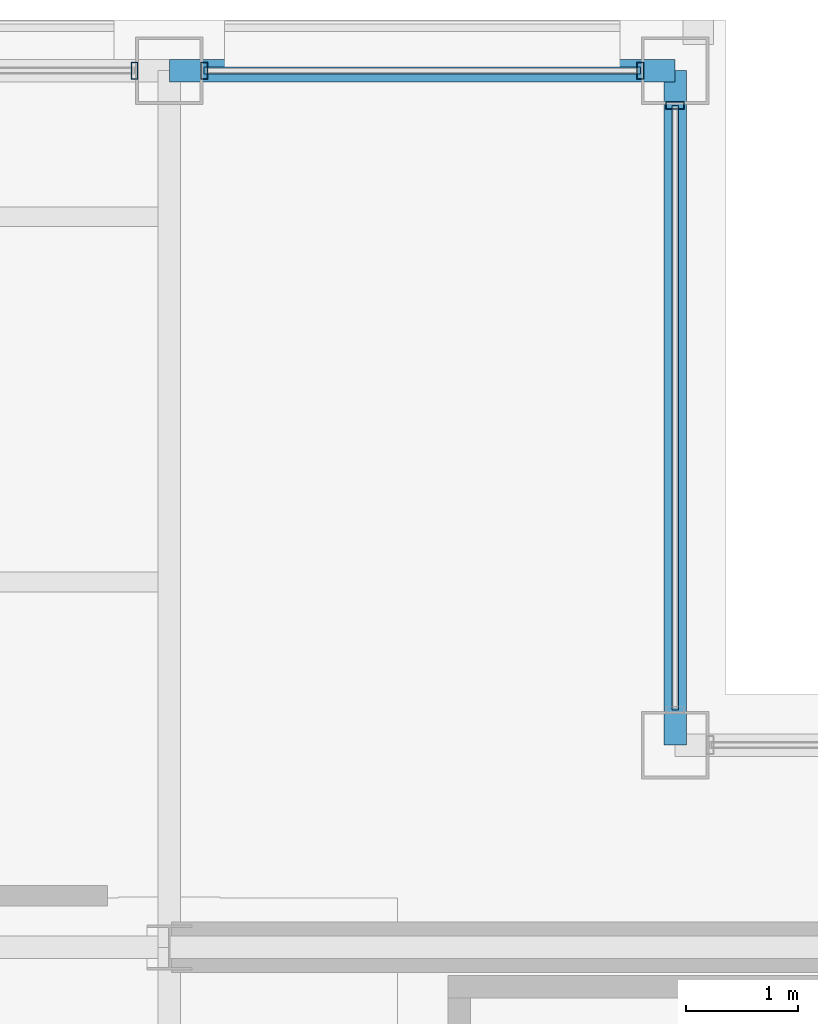
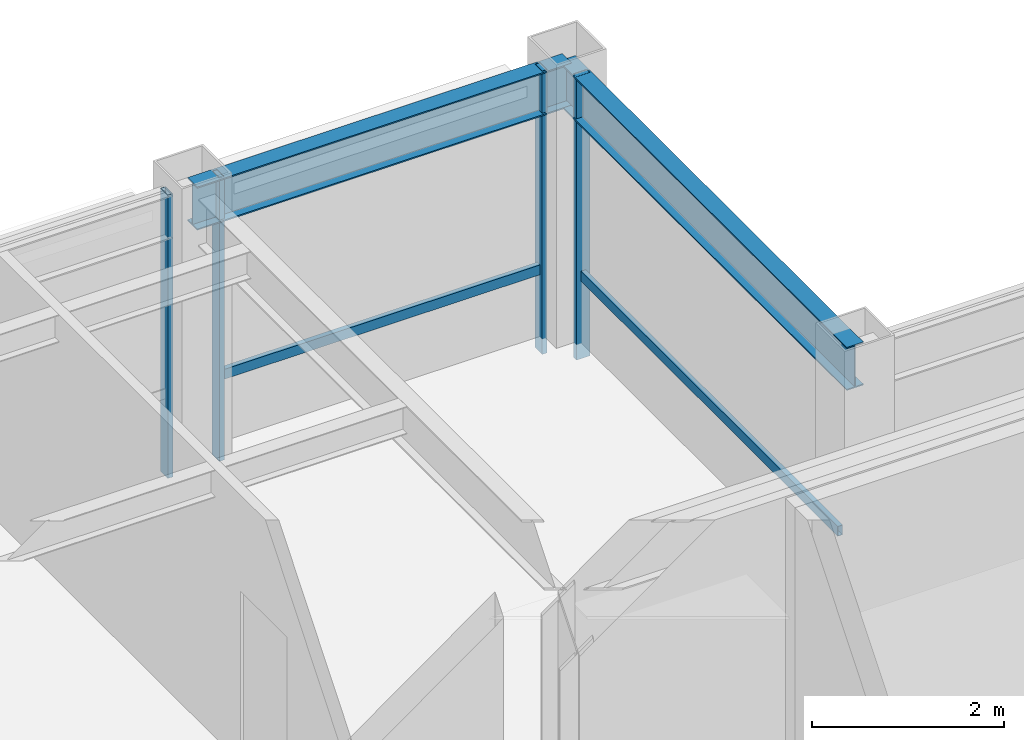
# One storey, part 16 of 22: 6 members, 2 beams, 3 elements without a shape of their own.
"""IFC4 building model written with IfcOpenShell, lengths in metres."""

from ifc_helpers import new_model, si_unit, direction, frame, origin, origin_2d, place, context, subcontext, project, spatial, hollow_rectangle, i_section, extrude, material, layer, layer_set, material_profile, profile_set, type_object, element, aggregate, save


model = new_model("IFC4")

# Units and contexts
model_context = context("Model", 3, precision=1e-05, world=origin(), true_north=direction((0.0, 1.0)))
body_context = subcontext(model_context, "Body", "Model", "MODEL_VIEW")
ifc_project = project(units=[si_unit("LENGTHUNIT", "METRE"), si_unit("AREAUNIT", "SQUARE_METRE"), si_unit("VOLUMEUNIT", "CUBIC_METRE"), si_unit("PLANEANGLEUNIT", "RADIAN"), si_unit("MASSUNIT", "GRAM", prefix="KILO")], contexts=[model_context])

# Site, building, storey
site_placement = place(None, origin())
site = spatial("IfcSite", under=ifc_project, at=site_placement, CompositionType="ELEMENT")
building_placement = place(site_placement, origin())
building = spatial("IfcBuilding", under=site, at=building_placement, Name="Brelmoor Portico Tower", CompositionType="ELEMENT")
storey_placement = place(building_placement, frame((0.0, 0.0, 280.800048828125)))
storey = spatial("IfcBuildingStorey", under=building, at=storey_placement, Name="L74", CompositionType="ELEMENT", Elevation=280.800048828125)

# Beams
ifc_material_1 = material(Name="Steel Q355B", Category="steel")
ifc_material_profile_1 = material_profile(ifc_material_1, i_section(OverallWidth=0.199951171875, OverallDepth=0.550048828125, WebThickness=0.010009765625, FlangeThickness=0.01611328125, at=origin_2d()), Name="HN 550x200x10x16")
ifc_profile_set_1 = profile_set([ifc_material_profile_1], Name="Steel Q355B")
beam_type = type_object("IfcBeamType", Name="BM-SP-550", PredefinedType="SPANDREL", material=ifc_profile_set_1)
beam_1_placement = place(storey_placement, frame((8.050048828125, 17.550048828125, 3.125), z_axis=(1.0, 0.0, 0.0), x_axis=(0.0, 1.0, 0.0)))
element("IfcBeam", 1, at=beam_1_placement, inside=storey, type_object=beam_type, Name="L74 Perimeter Spandrel Beam SP-10", PredefinedType="SPANDREL", context=body_context, shape_type="SweptSolid", body=[
    extrude(i_section(OverallWidth=0.199951171875, OverallDepth=0.550048828125, WebThickness=0.010009765625, FlangeThickness=0.01611328125, at=origin_2d()), origin(), (0.0, 0.0, 1.0), 4.5),
])
beam_2_placement = place(storey_placement, frame((12.550048828125, 11.550048828125, 3.125), z_axis=(0.0, 1.0, 0.0), x_axis=(-1.0, 0.0, 0.0)))
element("IfcBeam", 2, at=beam_2_placement, inside=storey, type_object=beam_type, Name="L74 Perimeter Spandrel Beam SP-17", PredefinedType="SPANDREL", context=body_context, shape_type="SweptSolid", body=[
    extrude(i_section(OverallWidth=0.199951171875, OverallDepth=0.550048828125, WebThickness=0.010009765625, FlangeThickness=0.01611328125, at=origin_2d()), origin(), (0.0, 0.0, 1.0), 6.0),
])

# Curtain wall, member
ifc_material_2 = material(Name="Anodised Aluminium Alloy 6063-T6", Category="aluminium")
ifc_layer_1 = layer(ifc_material_2, 0.179931640625)
ifc_layer_set_1 = layer_set([ifc_layer_1], Name="Anodised Aluminium Alloy 6063-T6")
curtain_wall_type_1 = type_object("IfcCurtainWallType", Name="CW-TOWER-Z4", PredefinedType="NOTDEFINED", material=ifc_layer_set_1)
curtain_wall_1_placement = place(storey_placement, origin())
curtain_wall_1 = element("IfcCurtainWall", 3, at=curtain_wall_1_placement, inside=storey, type_object=curtain_wall_type_1, Name="L74 Curtain Wall CW-L74-02-2", PredefinedType="NOTDEFINED")
ifc_material_profile_2 = material_profile(ifc_material_2, hollow_rectangle(XDim=0.06005859375, YDim=0.14990234375, WallThickness=0.00390625, at=origin_2d()), Name="ALU MULLION 60x150")
ifc_profile_set_2 = profile_set([ifc_material_profile_2], Name="Anodised Aluminium Alloy 6063-T6")
member_type_1 = type_object("IfcMemberType", Name="MB-CW-MULL-150", PredefinedType="MULLION", material=ifc_profile_set_2)
member_1_placement = place(storey_placement, frame((7.739990234375, 17.550048828125, -0.199951171875), z_axis=(0.0, 0.0, 1.0), x_axis=(1.0, 0.0, 0.0)))
member_1 = element("IfcMember", 4, at=member_1_placement, type_object=member_type_1, Name="CW-L74-02-2 Mullion 01", PredefinedType="MULLION", context=body_context, shape_type="SweptSolid", body=[
    extrude(hollow_rectangle(XDim=0.06005859375, YDim=0.14990234375, WallThickness=0.00390625, at=origin_2d()), origin(), (0.0, 0.0, 1.0), 3.599853515625),
])
aggregate(curtain_wall_1, [member_1])

# Curtain wall, members
curtain_wall_2_placement = place(storey_placement, origin())
curtain_wall_2 = element("IfcCurtainWall", 5, at=curtain_wall_2_placement, inside=storey, type_object=curtain_wall_type_1, Name="L74 Curtain Wall CW-L74-02-3", PredefinedType="NOTDEFINED")
member_2_placement = place(storey_placement, frame((8.360107421875, 17.550048828125, -0.199951171875), z_axis=(0.0, 0.0, 1.0), x_axis=(1.0, 0.0, 0.0)))
member_2 = element("IfcMember", 6, at=member_2_placement, type_object=member_type_1, Name="CW-L74-02-3 Mullion 00", PredefinedType="MULLION", context=body_context, shape_type="SweptSolid", body=[
    extrude(hollow_rectangle(XDim=0.06005859375, YDim=0.14990234375, WallThickness=0.00390625, at=origin_2d()), origin(), (0.0, 0.0, 1.0), 3.599853515625),
])
member_3_placement = place(storey_placement, frame((12.239990234375, 17.550048828125, -0.199951171875), z_axis=(0.0, 0.0, 1.0), x_axis=(1.0, 0.0, 0.0)))
member_3 = element("IfcMember", 7, at=member_3_placement, type_object=member_type_1, Name="CW-L74-02-3 Mullion 01", PredefinedType="MULLION", context=body_context, shape_type="SweptSolid", body=[
    extrude(hollow_rectangle(XDim=0.06005859375, YDim=0.14990234375, WallThickness=0.00390625, at=origin_2d()), origin(), (0.0, 0.0, 1.0), 3.599853515625),
])

# Curtain wall, member
ifc_layer_2 = layer(ifc_material_2, 0.179931640625)
ifc_layer_set_2 = layer_set([ifc_layer_2], Name="Anodised Aluminium Alloy 6063-T6")
curtain_wall_type_2 = type_object("IfcCurtainWallType", Name="CW-NOTCH-CHAMFER", PredefinedType="NOTDEFINED", material=ifc_layer_set_2)
curtain_wall_3_placement = place(storey_placement, origin())
curtain_wall_3 = element("IfcCurtainWall", 8, at=curtain_wall_3_placement, inside=storey, type_object=curtain_wall_type_2, Name="L74 Curtain Wall CWN-L74-NEV", PredefinedType="NOTDEFINED")
ifc_material_profile_3 = material_profile(ifc_material_2, hollow_rectangle(XDim=0.06494140625, YDim=0.1650390625, WallThickness=0.00390625, at=origin_2d()), Name="ALU MULLION 65x165")
ifc_profile_set_3 = profile_set([ifc_material_profile_3], Name="Anodised Aluminium Alloy 6063-T6")
member_type_2 = type_object("IfcMemberType", Name="MB-CW-MULL-165", PredefinedType="MULLION", material=ifc_profile_set_3)
member_4_placement = place(storey_placement, frame((12.550048828125, 17.239990234375, -0.199951171875), z_axis=(0.0, 0.0, 1.0), x_axis=(0.0, 1.0, 0.0)))
member_4 = element("IfcMember", 9, at=member_4_placement, type_object=member_type_2, Name="CWN-L74-NEV Mullion 01", PredefinedType="MULLION", context=body_context, shape_type="SweptSolid", body=[
    extrude(hollow_rectangle(XDim=0.06494140625, YDim=0.1650390625, WallThickness=0.00390625, at=origin_2d()), origin(), (0.0, 0.0, 1.0), 3.599853515625),
])

# Member
ifc_material_profile_4 = material_profile(ifc_material_2, hollow_rectangle(XDim=0.06005859375, YDim=0.125, WallThickness=0.00341796875, at=origin_2d()), Name="ALU TRANSOM 60x125")
ifc_profile_set_4 = profile_set([ifc_material_profile_4], Name="Anodised Aluminium Alloy 6063-T6")
member_type_3 = type_object("IfcMemberType", Name="MB-CW-TRAN-125", PredefinedType="USERDEFINED", material=ifc_profile_set_4)
member_5_placement = place(storey_placement, frame((8.360107421875, 17.550048828125, 0.849853515625), z_axis=(1.0, 0.0, 0.0), x_axis=(0.0, 1.0, 0.0)))
member_5 = element("IfcMember", 10, at=member_5_placement, type_object=member_type_3, Name="CW-L74-02-3 Transom 1-00", ObjectType="TRANSOM", PredefinedType="USERDEFINED", context=body_context, shape_type="SweptSolid", body=[
    extrude(hollow_rectangle(XDim=0.06005859375, YDim=0.125, WallThickness=0.00341796875, at=origin_2d()), origin(), (0.0, 0.0, 1.0), 3.8798828125),
])

aggregate(curtain_wall_2, [member_2, member_3, member_5])

member_6_placement = place(storey_placement, frame((12.550048828125, 11.860107421875, 0.849853515625), z_axis=(0.0, 1.0, 0.0), x_axis=(-1.0, 0.0, 0.0)))
member_6 = element("IfcMember", 11, at=member_6_placement, type_object=member_type_3, Name="CWN-L74-NEV Transom 1-00", ObjectType="TRANSOM", PredefinedType="USERDEFINED", context=body_context, shape_type="SweptSolid", body=[
    extrude(hollow_rectangle(XDim=0.06005859375, YDim=0.125, WallThickness=0.00341796875, at=origin_2d()), origin(), (0.0, 0.0, 1.0), 5.3798828125),
])

aggregate(curtain_wall_3, [member_4, member_6])

save(model, "model.ifc")
